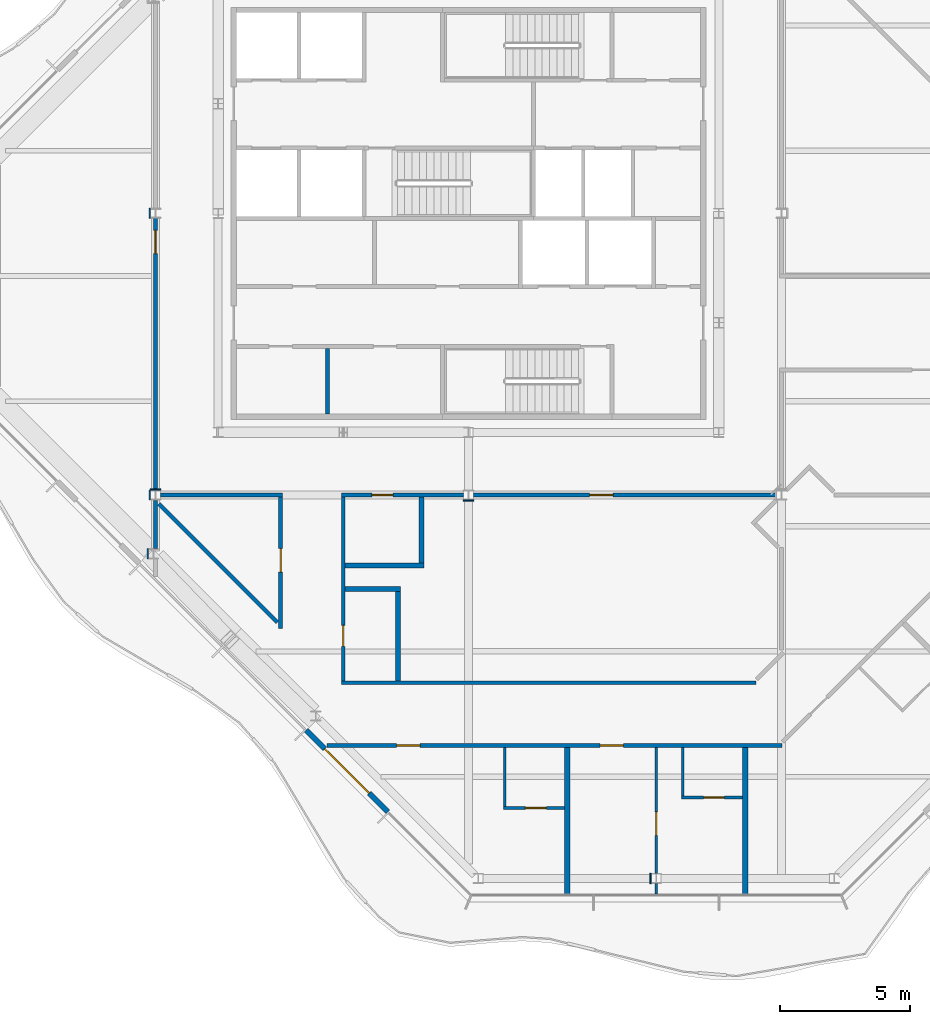
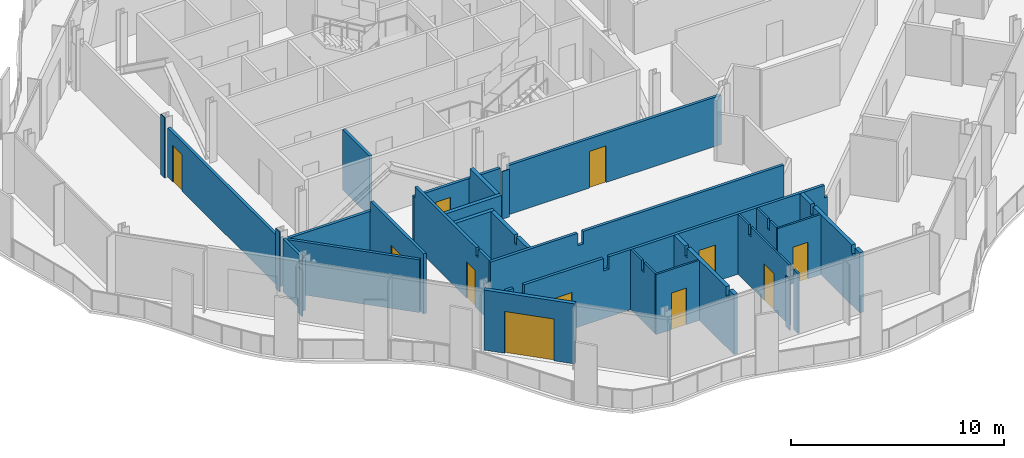
# One storey, part 7 of 17: 30 walls, 11 doors, 11 openings.
"""IFC4 building model written with IfcOpenShell, lengths in metres."""

from ifc_helpers import new_model, si_unit, direction, frame, frame_2d, origin, place, context, subcontext, project, spatial, polyline, rectangle, outline, extrude, material, layer, layer_set, type_object, element, fill, save


model = new_model("IFC4")

# Units and contexts
model_context = context("Model", 3, precision=1e-05, world=origin(), true_north=direction((0.0, 1.0)))
body_context = subcontext(model_context, "Body", "Model", "MODEL_VIEW")
ifc_project = project(units=[si_unit("LENGTHUNIT", "METRE"), si_unit("AREAUNIT", "SQUARE_METRE"), si_unit("VOLUMEUNIT", "CUBIC_METRE"), si_unit("PLANEANGLEUNIT", "RADIAN"), si_unit("MASSUNIT", "GRAM", prefix="KILO")], contexts=[model_context])

# Site, building, storey
site_placement = place(None, origin())
site = spatial("IfcSite", under=ifc_project, at=site_placement, CompositionType="ELEMENT")
building_placement = place(site_placement, origin())
building = spatial("IfcBuilding", under=site, at=building_placement, Name="Cairn Pilgrim Tower", CompositionType="ELEMENT")
storey_placement = place(building_placement, frame((0.0, 0.0, 270.60009765625)))
storey = spatial("IfcBuildingStorey", under=building, at=storey_placement, Name="L69", CompositionType="ELEMENT", Elevation=270.60009765625)

# Wall, opening, door
ifc_material_1 = material(Name="Bronze anodised aluminium insulated sandwich panel with mineral wool fill", Category="aluminium")
ifc_layer_1 = layer(ifc_material_1, 0.199951171875)
ifc_layer_set_1 = layer_set([ifc_layer_1], Name="BRONZE INFILL FRAME WALL 200")
wall_type_1 = type_object("IfcWallType", Name="BRONZE INFILL FRAME WALL 200", PredefinedType="NOTDEFINED", material=ifc_layer_set_1)
wall_1_placement = place(storey_placement, frame((0.9736328125, -17.419921875, 0.0), z_axis=(0.0, 0.0, 1.0), x_axis=(0.707079231393, -0.707134329907, 0.0)))
wall_1 = element("IfcWall", 1, at=wall_1_placement, inside=storey, type_object=wall_type_1, Name="Bronze infill frame wall IW-SW5", PredefinedType="NOTDEFINED", context=body_context, shape_type="SweptSolid", body=[
    extrude(rectangle(XDim=4.430908203125, YDim=0.199951171875, at=frame_2d((2.21533203125, 0.0))), origin(), (0.0, 0.0, 1.0), 3.449951171875),
])
opening_1_placement = place(wall_1_placement, frame((1.01513671875, 0.0, 0.0)))
opening_1 = element("IfcOpeningElement", 2, at=opening_1_placement, cuts=wall_1, Name="Opening 6910B", PredefinedType="OPENING", context=body_context, shape_type="SweptSolid", body=[
    extrude(rectangle(XDim=2.39990234375, YDim=2.39990234375, at=frame_2d((1.199951171875, 1.199951171875))), frame((0.0, 0.10986328125, 0.0), z_axis=(0.0, -1.0, 0.0), x_axis=(1.0, 0.0, 0.0)), (0.0, 0.0, 1.0), 0.219970703125),
])
ifc_material_2 = material(Name="Bronze anodised aluminium frame with tinted low-E glass", Category="aluminium")
door_type_1 = type_object("IfcDoorType", Name="BALCONY SLIDING DOOR 2400x2400", OperationType="DOUBLE_DOOR_SLIDING", PredefinedType="DOOR", material=ifc_material_2)
door_1_placement = place(opening_1_placement, origin())
door_1 = element("IfcDoor", 3, at=door_1_placement, inside=storey, type_object=door_type_1, Name="Balcony sliding door 6910B", OperationType="SINGLE_SWING_LEFT", OverallHeight=2.39990234375, OverallWidth=2.39990234375, PredefinedType="DOOR", context=body_context, shape_type="SweptSolid", body=[
    extrude(rectangle(XDim=2.39990234375, YDim=2.39990234375, at=frame_2d((1.199951171875, 1.199951171875))), frame((0.0, 0.02490234375, 0.0), z_axis=(0.0, -1.0, 0.0), x_axis=(1.0, 0.0, 0.0)), (0.0, 0.0, 1.0), 0.050048828125),
])
fill(opening_1, door_1)

# Walls
ifc_material_3 = material(Name="Concrete C32/40", Category="concrete")
ifc_layer_2 = layer(ifc_material_3, 0.14990234375)
ifc_layer_set_2 = layer_set([ifc_layer_2], Name="CORE PARTITION 150 EI 60")
wall_type_2 = type_object("IfcWallType", Name="CORE PARTITION 150 EI 60", PredefinedType="PARTITIONING", material=ifc_layer_set_2)
wall_2_placement = place(storey_placement, frame((1.800048828125, -5.300048828125, 0.0), z_axis=(0.0, 0.0, 1.0), x_axis=(0.0, 1.0, 0.0)))
element("IfcWall", 4, at=wall_2_placement, inside=storey, type_object=wall_type_2, Name="CW:L69:V16", PredefinedType="PARTITIONING", context=body_context, shape_type="SweptSolid", body=[
    extrude(rectangle(XDim=2.525146484375, YDim=0.14990234375, at=frame_2d((1.2626953125, 0.0))), origin(), (0.0, 0.0, 1.0), 3.449951171875),
])
ifc_material_4 = material(Name="Gypsum partition")
ifc_layer_3 = layer(ifc_material_4, 0.10009765625)
ifc_layer_set_3 = layer_set([ifc_layer_3], Name="PARTITION 100 DRYWALL")
wall_type_3 = type_object("IfcWallType", Name="PARTITION 100 DRYWALL", PredefinedType="PARTITIONING", material=ifc_layer_set_3)
wall_3_placement = place(storey_placement, frame((14.39990234375, -23.702880859375, 0.0), z_axis=(0.0, 0.0, 1.0), x_axis=(0.0, 1.0, 0.0)))
element("IfcWall", 5, at=wall_3_placement, inside=storey, type_object=wall_type_3, Name="PARTITION W002", PredefinedType="PARTITIONING", context=body_context, shape_type="SweptSolid", body=[
    extrude(rectangle(XDim=0.406494140625, YDim=0.10009765625, at=frame_2d((0.203125, 0.0))), origin(), (0.0, 0.0, 1.0), 3.449951171875),
])

# Wall, opening, door
wall_4_placement = place(storey_placement, frame((14.39990234375, -22.903564453125, 0.0), z_axis=(0.0, 0.0, 1.0), x_axis=(0.0, 1.0, 0.0)))
wall_4 = element("IfcWall", 6, at=wall_4_placement, inside=storey, type_object=wall_type_3, Name="PARTITION W004", PredefinedType="PARTITIONING", context=body_context, shape_type="SweptSolid", body=[
    extrude(outline(polyline([(0.0, 0.0), (4.82861328125, 0.0), (4.82861328125, 3.449951171875), (3.80859375, 3.449951171875), (3.806396484375, 2.8798828125), (3.598388671875, 2.8798828125), (3.596435546875, 3.449951171875), (0.0, 3.449951171875), (0.0, 0.0)])), frame((0.0, 0.050048828125, 0.0), z_axis=(0.0, -1.0, 0.0), x_axis=(1.0, 0.0, 0.0)), (0.0, 0.0, 1.0), 0.10009765625),
])
opening_2_placement = place(wall_4_placement, frame((1.45361328125, 0.0, 0.0)))
opening_2 = element("IfcOpeningElement", 7, at=opening_2_placement, cuts=wall_4, Name="Opening 6911C", PredefinedType="OPENING", context=body_context, shape_type="SweptSolid", body=[
    extrude(rectangle(XDim=0.89990234375, YDim=2.10009765625, at=frame_2d((0.449951171875, 1.050048828125))), frame((0.0, 0.06005859375, 0.0), z_axis=(0.0, -1.0, 0.0), x_axis=(1.0, 0.0, 0.0)), (0.0, 0.0, 1.0), 0.1201171875),
])
ifc_material_5 = material(Name="Timber door leaf", Category="wood")
door_type_2 = type_object("IfcDoorType", Name="SERVICE DOOR 900x2100", OperationType="NOTDEFINED", PredefinedType="DOOR", material=ifc_material_5)
door_2_placement = place(opening_2_placement, origin())
door_2 = element("IfcDoor", 8, at=door_2_placement, inside=storey, type_object=door_type_2, Name="DOOR 6911C", OperationType="SINGLE_SWING_LEFT", OverallHeight=2.10009765625, OverallWidth=0.89990234375, PredefinedType="DOOR", context=body_context, shape_type="SweptSolid", body=[
    extrude(rectangle(XDim=0.89990234375, YDim=2.10009765625, at=frame_2d((0.449951171875, 1.050048828125))), frame((0.0, 0.02490234375, 0.0), z_axis=(0.0, -1.0, 0.0), x_axis=(1.0, 0.0, 0.0)), (0.0, 0.0, 1.0), 0.050048828125),
])
fill(opening_2, door_2)

wall_5_placement = place(storey_placement, frame((8.535888671875, -20.39990234375, 0.0), z_axis=(0.0, 0.0, 1.0), x_axis=(1.0, 0.0, 0.0)))
wall_5 = element("IfcWall", 9, at=wall_5_placement, inside=storey, type_object=wall_type_3, Name="PARTITION W005", PredefinedType="PARTITIONING", context=body_context, shape_type="SweptSolid", body=[
    extrude(rectangle(XDim=2.35009765625, YDim=0.10009765625, at=frame_2d((1.175048828125, 0.0))), origin(), (0.0, 0.0, 1.0), 3.449951171875),
])
opening_3_placement = place(wall_5_placement, frame((0.85009765625, 0.0, 0.0)))
opening_3 = element("IfcOpeningElement", 10, at=opening_3_placement, cuts=wall_5, Name="Opening 6910A", PredefinedType="OPENING", context=body_context, shape_type="SweptSolid", body=[
    extrude(rectangle(XDim=0.800048828125, YDim=2.10009765625, at=frame_2d((0.39990234375, 1.050048828125))), frame((0.0, 0.06005859375, 0.0), z_axis=(0.0, -1.0, 0.0), x_axis=(1.0, 0.0, 0.0)), (0.0, 0.0, 1.0), 0.1201171875),
])
door_type_3 = type_object("IfcDoorType", Name="WC DOOR 800x2100", OperationType="NOTDEFINED", PredefinedType="DOOR", material=ifc_material_5)
door_3_placement = place(opening_3_placement, frame((0.800048828125, 0.0, 0.0), z_axis=(0.0, 0.0, 1.0), x_axis=(-1.0, 0.0, 0.0)))
door_3 = element("IfcDoor", 11, at=door_3_placement, inside=storey, type_object=door_type_3, Name="DOOR 6910A", OperationType="SINGLE_SWING_LEFT", OverallHeight=2.10009765625, OverallWidth=0.800048828125, PredefinedType="DOOR", context=body_context, shape_type="SweptSolid", body=[
    extrude(rectangle(XDim=0.800048828125, YDim=2.10009765625, at=frame_2d((0.39990234375, 1.050048828125))), frame((0.0, 0.02490234375, 0.0), z_axis=(0.0, -1.0, 0.0), x_axis=(1.0, 0.0, 0.0)), (0.0, 0.0, 1.0), 0.050048828125),
])
fill(opening_3, door_3)

# Wall
wall_6_placement = place(storey_placement, frame((8.5859375, -20.35009765625, 0.0), z_axis=(0.0, 0.0, 1.0), x_axis=(0.0, 1.0, 0.0)))
element("IfcWall", 12, at=wall_6_placement, inside=storey, type_object=wall_type_3, Name="PARTITION W006", PredefinedType="PARTITIONING", context=body_context, shape_type="SweptSolid", body=[
    extrude(outline(polyline([(0.0, 0.0), (2.275146484375, 0.0), (2.27490234375, 3.449951171875), (1.2548828125, 3.449951171875), (1.2529296875, 2.8798828125), (1.044921875, 2.8798828125), (1.04296875, 3.449951171875), (0.0, 3.449951171875), (0.0, 0.0)])), frame((0.0, 0.050048828125, 0.0), z_axis=(0.0, -1.0, 0.0), x_axis=(1.0, 0.0, 0.0)), (0.0, 0.0, 1.0), 0.10009765625),
])

# Wall, opening, door
wall_7_placement = place(storey_placement, frame((15.364013671875, -20.0, 0.0), z_axis=(0.0, 0.0, 1.0), x_axis=(1.0, 0.0, 0.0)))
wall_7 = element("IfcWall", 13, at=wall_7_placement, inside=storey, type_object=wall_type_3, Name="PARTITION W007", PredefinedType="PARTITIONING", context=body_context, shape_type="SweptSolid", body=[
    extrude(rectangle(XDim=2.35009765625, YDim=0.10009765625, at=frame_2d((1.175048828125, 0.0))), origin(), (0.0, 0.0, 1.0), 3.449951171875),
])
opening_4_placement = place(wall_7_placement, frame((0.85009765625, 0.0, 0.0)))
opening_4 = element("IfcOpeningElement", 14, at=opening_4_placement, cuts=wall_7, Name="Opening 6911A", PredefinedType="OPENING", context=body_context, shape_type="SweptSolid", body=[
    extrude(rectangle(XDim=0.800048828125, YDim=2.10009765625, at=frame_2d((0.39990234375, 1.050048828125))), frame((0.0, 0.06005859375, 0.0), z_axis=(0.0, -1.0, 0.0), x_axis=(1.0, 0.0, 0.0)), (0.0, 0.0, 1.0), 0.1201171875),
])
door_4_placement = place(opening_4_placement, frame((0.800048828125, 0.0, 0.0), z_axis=(0.0, 0.0, 1.0), x_axis=(-1.0, 0.0, 0.0)))
door_4 = element("IfcDoor", 15, at=door_4_placement, inside=storey, type_object=door_type_3, Name="DOOR 6911A", OperationType="SINGLE_SWING_LEFT", OverallHeight=2.10009765625, OverallWidth=0.800048828125, PredefinedType="DOOR", context=body_context, shape_type="SweptSolid", body=[
    extrude(rectangle(XDim=0.800048828125, YDim=2.10009765625, at=frame_2d((0.39990234375, 1.050048828125))), frame((0.0, 0.02490234375, 0.0), z_axis=(0.0, -1.0, 0.0), x_axis=(1.0, 0.0, 0.0)), (0.0, 0.0, 1.0), 0.050048828125),
])
fill(opening_4, door_4)

# Wall
wall_8_placement = place(storey_placement, frame((15.4140625, -19.949951171875, 0.0), z_axis=(0.0, 0.0, 1.0), x_axis=(0.0, 1.0, 0.0)))
element("IfcWall", 16, at=wall_8_placement, inside=storey, type_object=wall_type_3, Name="PARTITION W008", PredefinedType="PARTITIONING", context=body_context, shape_type="SweptSolid", body=[
    extrude(outline(polyline([(0.0, 0.0), (1.875, 0.0), (1.875, 3.449951171875), (0.85498046875, 3.449951171875), (0.85302734375, 2.8798828125), (0.64501953125, 2.8798828125), (0.64306640625, 3.449951171875), (0.0, 3.449951171875), (0.0, 0.0)])), frame((0.0, 0.050048828125, 0.0), z_axis=(0.0, -1.0, 0.0), x_axis=(1.0, 0.0, 0.0)), (0.0, 0.0, 1.0), 0.10009765625),
])

# Wall, openings, doors
ifc_layer_4 = layer(ifc_material_4, 0.14990234375)
ifc_layer_set_4 = layer_set([ifc_layer_4], Name="PARTITION 150 DRYWALL EI 60")
wall_type_4 = type_object("IfcWallType", Name="PARTITION 150 DRYWALL EI 60", PredefinedType="PARTITIONING", material=ifc_layer_set_4)
wall_9_placement = place(storey_placement, frame((1.77294921875, -18.0, 0.0), z_axis=(0.0, 0.0, 1.0), x_axis=(1.0, 0.0, 0.0)))
wall_9 = element("IfcWall", 17, at=wall_9_placement, inside=storey, type_object=wall_type_4, Name="PARTITION W009", PredefinedType="PARTITIONING", context=body_context, shape_type="SweptSolid", body=[
    extrude(outline(polyline([(0.0, 0.0), (17.4482421875, 0.0), (17.4482421875, 2.72998046875), (17.277099609375, 2.72998046875), (17.275146484375, 3.449951171875), (5.5771484375, 3.449951171875), (5.5751953125, 2.72998046875), (5.277099609375, 2.72998046875), (5.275146484375, 3.449951171875), (0.987060546875, 3.449951171875), (0.985107421875, 2.929931640625), (0.412841796875, 2.929931640625), (0.410888671875, 3.449951171875), (0.0, 3.449951171875), (0.0, 0.0)])), frame((0.0, 0.074951171875, 0.0), z_axis=(0.0, -1.0, 0.0), x_axis=(1.0, 0.0, 0.0)), (0.0, 0.0, 1.0), 0.14990234375),
])
opening_5_placement = place(wall_9_placement, frame((2.670166015625, 0.0, 0.0)))
opening_5 = element("IfcOpeningElement", 18, at=opening_5_placement, cuts=wall_9, Name="Opening 6910", PredefinedType="OPENING", context=body_context, shape_type="SweptSolid", body=[
    extrude(rectangle(XDim=0.89990234375, YDim=2.10009765625, at=frame_2d((0.449951171875, 1.050048828125))), frame((0.0, 0.0849609375, 0.0), z_axis=(0.0, -1.0, 0.0), x_axis=(1.0, 0.0, 0.0)), (0.0, 0.0, 1.0), 0.169921875),
])
opening_6_placement = place(wall_9_placement, frame((10.47021484375, 0.0, 0.0)))
opening_6 = element("IfcOpeningElement", 19, at=opening_6_placement, cuts=wall_9, Name="Opening 6911", PredefinedType="OPENING", context=body_context, shape_type="SweptSolid", body=[
    extrude(rectangle(XDim=0.89990234375, YDim=2.10009765625, at=frame_2d((0.449951171875, 1.050048828125))), frame((0.0, 0.0849609375, 0.0), z_axis=(0.0, -1.0, 0.0), x_axis=(1.0, 0.0, 0.0)), (0.0, 0.0, 1.0), 0.169921875),
])
door_type_4 = type_object("IfcDoorType", Name="ROOM DOOR 900x2100 FD30S", OperationType="NOTDEFINED", PredefinedType="DOOR", material=ifc_material_5)
door_5_placement = place(opening_5_placement, frame((0.89990234375, 0.0, 0.0), z_axis=(0.0, 0.0, 1.0), x_axis=(-1.0, 0.0, 0.0)))
door_5 = element("IfcDoor", 20, at=door_5_placement, inside=storey, type_object=door_type_4, Name="DOOR 6910", OperationType="SINGLE_SWING_LEFT", OverallHeight=2.10009765625, OverallWidth=0.89990234375, PredefinedType="DOOR", context=body_context, shape_type="SweptSolid", body=[
    extrude(rectangle(XDim=0.89990234375, YDim=2.10009765625, at=frame_2d((0.449951171875, 1.050048828125))), frame((0.0, 0.02490234375, 0.0), z_axis=(0.0, -1.0, 0.0), x_axis=(1.0, 0.0, 0.0)), (0.0, 0.0, 1.0), 0.050048828125),
])
fill(opening_5, door_5)
door_6_placement = place(opening_6_placement, frame((0.89990234375, 0.0, 0.0), z_axis=(0.0, 0.0, 1.0), x_axis=(-1.0, 0.0, 0.0)))
door_6 = element("IfcDoor", 21, at=door_6_placement, inside=storey, type_object=door_type_4, Name="DOOR 6911", OperationType="SINGLE_SWING_LEFT", OverallHeight=2.10009765625, OverallWidth=0.89990234375, PredefinedType="DOOR", context=body_context, shape_type="SweptSolid", body=[
    extrude(rectangle(XDim=0.89990234375, YDim=2.10009765625, at=frame_2d((0.449951171875, 1.050048828125))), frame((0.0, 0.02490234375, 0.0), z_axis=(0.0, -1.0, 0.0), x_axis=(1.0, 0.0, 0.0)), (0.0, 0.0, 1.0), 0.050048828125),
])
fill(opening_6, door_6)

# Wall
wall_10_placement = place(storey_placement, frame((2.324951171875, -15.60009765625, 0.0), z_axis=(0.0, 0.0, 1.0), x_axis=(1.0, 0.0, 0.0)))
element("IfcWall", 22, at=wall_10_placement, inside=storey, type_object=wall_type_4, Name="PARTITION W015", PredefinedType="PARTITIONING", context=body_context, shape_type="SweptSolid", body=[
    extrude(outline(polyline([(0.0, 0.0), (15.902099609375, 0.0), (15.902099609375, 3.449951171875), (5.02490234375, 3.449951171875), (5.02294921875, 2.72998046875), (4.72509765625, 2.72998046875), (4.722900390625, 3.449951171875), (0.0, 3.449951171875), (0.0, 0.0)])), frame((0.0, 0.074951171875, 0.0), z_axis=(0.0, -1.0, 0.0), x_axis=(1.0, 0.0, 0.0)), (0.0, 0.0, 1.0), 0.14990234375),
])

# Wall, opening, door
wall_11_placement = place(storey_placement, frame((2.39990234375, -15.52490234375, 0.0), z_axis=(0.0, 0.0, 1.0), x_axis=(0.0, 1.0, 0.0)))
wall_11 = element("IfcWall", 23, at=wall_11_placement, inside=storey, type_object=wall_type_4, Name="PARTITION W016", PredefinedType="PARTITIONING", context=body_context, shape_type="SweptSolid", body=[
    extrude(outline(polyline([(0.0, 0.0), (7.0498046875, 0.0), (7.050048828125, 2.829833984375), (6.97509765625, 2.829833984375), (6.972900390625, 3.449951171875), (1.219970703125, 3.449951171875), (1.218017578125, 2.97998046875), (1.030029296875, 2.97998046875), (1.028076171875, 3.449951171875), (0.0, 3.449951171875), (0.0, 0.0)])), frame((0.0, 0.074951171875, 0.0), z_axis=(0.0, -1.0, 0.0), x_axis=(1.0, 0.0, 0.0)), (0.0, 0.0, 1.0), 0.14990234375),
])
opening_7_placement = place(wall_11_placement, frame((1.324951171875, 0.0, 0.0)))
opening_7 = element("IfcOpeningElement", 24, at=opening_7_placement, cuts=wall_11, Name="Opening 6913", PredefinedType="OPENING", context=body_context, shape_type="SweptSolid", body=[
    extrude(rectangle(XDim=0.800048828125, YDim=2.10009765625, at=frame_2d((0.39990234375, 1.050048828125))), frame((0.0, 0.0849609375, 0.0), z_axis=(0.0, -1.0, 0.0), x_axis=(1.0, 0.0, 0.0)), (0.0, 0.0, 1.0), 0.169921875),
])
door_type_5 = type_object("IfcDoorType", Name="WC DOOR 800x2100 FD30S", OperationType="NOTDEFINED", PredefinedType="DOOR", material=ifc_material_5)
door_7_placement = place(opening_7_placement, frame((0.800048828125, 0.0, 0.0), z_axis=(0.0, 0.0, 1.0), x_axis=(-1.0, 0.0, 0.0)))
door_7 = element("IfcDoor", 25, at=door_7_placement, inside=storey, type_object=door_type_5, Name="DOOR 6913", OperationType="SINGLE_SWING_LEFT", OverallHeight=2.10009765625, OverallWidth=0.800048828125, PredefinedType="DOOR", context=body_context, shape_type="SweptSolid", body=[
    extrude(rectangle(XDim=0.800048828125, YDim=2.10009765625, at=frame_2d((0.39990234375, 1.050048828125))), frame((0.0, 0.02490234375, 0.0), z_axis=(0.0, -1.0, 0.0), x_axis=(1.0, 0.0, 0.0)), (0.0, 0.0, 1.0), 0.050048828125),
])
fill(opening_7, door_7)

wall_12_placement = place(storey_placement, frame((0.0, -13.51220703125, 0.0), z_axis=(0.0, 0.0, 1.0), x_axis=(0.0, 1.0, 0.0)))
wall_12 = element("IfcWall", 26, at=wall_12_placement, inside=storey, type_object=wall_type_4, Name="PARTITION W021", PredefinedType="PARTITIONING", context=body_context, shape_type="SweptSolid", body=[
    extrude(outline(polyline([(0.0, 0.0), (5.037109375, 0.0), (5.037109375, 2.829833984375), (4.962158203125, 2.829833984375), (4.960205078125, 3.449951171875), (0.0, 3.449951171875), (0.0, 0.0)])), frame((0.0, 0.074951171875, 0.0), z_axis=(0.0, -1.0, 0.0), x_axis=(1.0, 0.0, 0.0)), (0.0, 0.0, 1.0), 0.14990234375),
])
opening_8_placement = place(wall_12_placement, frame((2.1591796875, 0.0, 0.0)))
opening_8 = element("IfcOpeningElement", 27, at=opening_8_placement, cuts=wall_12, Name="Opening 6916", PredefinedType="OPENING", context=body_context, shape_type="SweptSolid", body=[
    extrude(rectangle(XDim=0.89990234375, YDim=2.10009765625, at=frame_2d((0.449951171875, 1.050048828125))), frame((0.0, 0.0849609375, 0.0), z_axis=(0.0, -1.0, 0.0), x_axis=(1.0, 0.0, 0.0)), (0.0, 0.0, 1.0), 0.169921875),
])
door_type_6 = type_object("IfcDoorType", Name="SERVICE DOOR 900x2100 FD30S", OperationType="NOTDEFINED", PredefinedType="DOOR", material=ifc_material_5)
door_8_placement = place(opening_8_placement, origin())
door_8 = element("IfcDoor", 28, at=door_8_placement, inside=storey, type_object=door_type_6, Name="DOOR 6916", OperationType="SINGLE_SWING_LEFT", OverallHeight=2.10009765625, OverallWidth=0.89990234375, PredefinedType="DOOR", context=body_context, shape_type="SweptSolid", body=[
    extrude(rectangle(XDim=0.89990234375, YDim=2.10009765625, at=frame_2d((0.449951171875, 1.050048828125))), frame((0.0, 0.02490234375, 0.0), z_axis=(0.0, -1.0, 0.0), x_axis=(1.0, 0.0, 0.0)), (0.0, 0.0, 1.0), 0.050048828125),
])
fill(opening_8, door_8)

# Walls
wall_13_placement = place(storey_placement, frame((-0.1279296875, -13.278076171875, 0.0), z_axis=(0.0, 0.0, 1.0), x_axis=(-0.707106781187, 0.707106781187, 0.0)))
element("IfcWall", 29, at=wall_13_placement, inside=storey, type_object=wall_type_4, Name="PARTITION W022", PredefinedType="PARTITIONING", context=body_context, shape_type="SweptSolid", body=[
    extrude(rectangle(XDim=6.426513671875, YDim=0.14990234375, at=frame_2d((3.21337890625, 0.0))), origin(), (0.0, 0.0, 1.0), 3.02978515625),
])
wall_14_placement = place(storey_placement, frame((-4.800048828125, -10.455078125, 0.0), z_axis=(0.0, 0.0, 1.0), x_axis=(0.0, 1.0, 0.0)))
element("IfcWall", 30, at=wall_14_placement, inside=storey, type_object=wall_type_4, Name="PARTITION W029", PredefinedType="PARTITIONING", context=body_context, shape_type="SweptSolid", body=[
    extrude(outline(polyline([(0.0, 0.0), (1.84912109375, 0.0), (1.84912109375, 3.02978515625), (0.2978515625, 3.02978515625), (0.2958984375, 2.6298828125), (0.05810546875, 2.6298828125), (0.05615234375, 3.02978515625), (0.0, 3.02978515625), (0.0, 0.0)])), frame((0.0, 0.074951171875, 0.0), z_axis=(0.0, -1.0, 0.0), x_axis=(1.0, 0.0, 0.0)), (0.0, 0.0, 1.0), 0.14990234375),
])
wall_15_placement = place(storey_placement, frame((-4.60302734375, -8.39990234375, 0.0), z_axis=(0.0, 0.0, 1.0), x_axis=(1.0, 0.0, 0.0)))
element("IfcWall", 31, at=wall_15_placement, inside=storey, type_object=wall_type_4, Name="PARTITION W033", PredefinedType="PARTITIONING", context=body_context, shape_type="SweptSolid", body=[
    extrude(rectangle(XDim=4.677978515625, YDim=0.14990234375, at=frame_2d((2.3388671875, 0.0))), origin(), (0.0, 0.0, 1.0), 2.829833984375),
])

# Wall, opening, door
wall_16_placement = place(storey_placement, frame((2.324951171875, -8.39990234375, 0.0), z_axis=(0.0, 0.0, 1.0), x_axis=(1.0, 0.0, 0.0)))
wall_16 = element("IfcWall", 32, at=wall_16_placement, inside=storey, type_object=wall_type_4, Name="PARTITION W034", PredefinedType="PARTITIONING", context=body_context, shape_type="SweptSolid", body=[
    extrude(rectangle(XDim=4.677978515625, YDim=0.14990234375, at=frame_2d((2.3388671875, 0.0))), origin(), (0.0, 0.0, 1.0), 2.829833984375),
])
opening_9_placement = place(wall_16_placement, frame((1.175048828125, 0.0, 0.0)))
opening_9 = element("IfcOpeningElement", 33, at=opening_9_placement, cuts=wall_16, Name="Opening 6912", PredefinedType="OPENING", context=body_context, shape_type="SweptSolid", body=[
    extrude(rectangle(XDim=0.800048828125, YDim=2.10009765625, at=frame_2d((0.39990234375, 1.050048828125))), frame((0.0, 0.0849609375, 0.0), z_axis=(0.0, -1.0, 0.0), x_axis=(1.0, 0.0, 0.0)), (0.0, 0.0, 1.0), 0.169921875),
])
door_9_placement = place(opening_9_placement, frame((0.800048828125, 0.0, 0.0), z_axis=(0.0, 0.0, 1.0), x_axis=(-1.0, 0.0, 0.0)))
door_9 = element("IfcDoor", 34, at=door_9_placement, inside=storey, type_object=door_type_5, Name="DOOR 6912", OperationType="SINGLE_SWING_LEFT", OverallHeight=2.10009765625, OverallWidth=0.800048828125, PredefinedType="DOOR", context=body_context, shape_type="SweptSolid", body=[
    extrude(rectangle(XDim=0.800048828125, YDim=2.10009765625, at=frame_2d((0.39990234375, 1.050048828125))), frame((0.0, 0.02490234375, 0.0), z_axis=(0.0, -1.0, 0.0), x_axis=(1.0, 0.0, 0.0)), (0.0, 0.0, 1.0), 0.050048828125),
])
fill(opening_9, door_9)

wall_17_placement = place(storey_placement, frame((7.39697265625, -8.39990234375, 0.0), z_axis=(0.0, 0.0, 1.0), x_axis=(1.0, 0.0, 0.0)))
wall_17 = element("IfcWall", 35, at=wall_17_placement, inside=storey, type_object=wall_type_4, Name="PARTITION W035", PredefinedType="PARTITIONING", context=body_context, shape_type="SweptSolid", body=[
    extrude(rectangle(XDim=11.60595703125, YDim=0.14990234375, at=frame_2d((5.802978515625, 0.0))), origin(), (0.0, 0.0, 1.0), 2.829833984375),
])
opening_10_placement = place(wall_17_placement, frame((4.452880859375, 0.0, 0.0)))
opening_10 = element("IfcOpeningElement", 36, at=opening_10_placement, cuts=wall_17, Name="Opening 6917", PredefinedType="OPENING", context=body_context, shape_type="SweptSolid", body=[
    extrude(rectangle(XDim=0.89990234375, YDim=2.10009765625, at=frame_2d((0.449951171875, 1.050048828125))), frame((0.0, 0.0849609375, 0.0), z_axis=(0.0, -1.0, 0.0), x_axis=(1.0, 0.0, 0.0)), (0.0, 0.0, 1.0), 0.169921875),
])
door_10_placement = place(opening_10_placement, frame((0.89990234375, 0.0, 0.0), z_axis=(0.0, 0.0, 1.0), x_axis=(-1.0, 0.0, 0.0)))
door_10 = element("IfcDoor", 37, at=door_10_placement, inside=storey, type_object=door_type_6, Name="DOOR 6917", OperationType="SINGLE_SWING_LEFT", OverallHeight=2.10009765625, OverallWidth=0.89990234375, PredefinedType="DOOR", context=body_context, shape_type="SweptSolid", body=[
    extrude(rectangle(XDim=0.89990234375, YDim=2.10009765625, at=frame_2d((0.449951171875, 1.050048828125))), frame((0.0, 0.02490234375, 0.0), z_axis=(0.0, -1.0, 0.0), x_axis=(1.0, 0.0, 0.0)), (0.0, 0.0, 1.0), 0.050048828125),
])
fill(opening_10, door_10)

wall_18_placement = place(storey_placement, frame((-4.800048828125, -8.21240234375, 0.0), z_axis=(0.0, 0.0, 1.0), x_axis=(0.0, 1.0, 0.0)))
wall_18 = element("IfcWall", 38, at=wall_18_placement, inside=storey, type_object=wall_type_4, Name="PARTITION W039", PredefinedType="PARTITIONING", context=body_context, shape_type="SweptSolid", body=[
    extrude(rectangle(XDim=10.4248046875, YDim=0.14990234375, at=frame_2d((5.21240234375, 0.0))), origin(), (0.0, 0.0, 1.0), 2.829833984375),
])
opening_11_placement = place(wall_18_placement, frame((9.0625, 0.0, 0.0)))
opening_11 = element("IfcOpeningElement", 39, at=opening_11_placement, cuts=wall_18, Name="Opening 6909", PredefinedType="OPENING", context=body_context, shape_type="SweptSolid", body=[
    extrude(rectangle(XDim=0.89990234375, YDim=2.10009765625, at=frame_2d((0.449951171875, 1.050048828125))), frame((0.0, 0.0849609375, 0.0), z_axis=(0.0, -1.0, 0.0), x_axis=(1.0, 0.0, 0.0)), (0.0, 0.0, 1.0), 0.169921875),
])
door_11_placement = place(opening_11_placement, origin())
door_11 = element("IfcDoor", 40, at=door_11_placement, inside=storey, type_object=door_type_4, Name="DOOR 6909", OperationType="SINGLE_SWING_RIGHT", OverallHeight=2.10009765625, OverallWidth=0.89990234375, PredefinedType="DOOR", context=body_context, shape_type="SweptSolid", body=[
    extrude(rectangle(XDim=0.89990234375, YDim=2.10009765625, at=frame_2d((0.449951171875, 1.050048828125))), frame((0.0, 0.02490234375, 0.0), z_axis=(0.0, -1.0, 0.0), x_axis=(1.0, 0.0, 0.0)), (0.0, 0.0, 1.0), 0.050048828125),
])
fill(opening_11, door_11)

# Walls
ifc_layer_5 = layer(ifc_material_4, 0.050048828125)
ifc_layer_set_5 = layer_set([ifc_layer_5], Name="PARTITION 50 DRYWALL")
wall_type_5 = type_object("IfcWallType", Name="PARTITION 50 DRYWALL", PredefinedType="PARTITIONING", material=ifc_layer_set_5)
wall_19_placement = place(storey_placement, frame((14.175537109375, -23.29638671875, 0.0), z_axis=(0.0, 0.0, 1.0), x_axis=(0.0, 1.0, 0.0)))
element("IfcWall", 41, at=wall_19_placement, inside=storey, type_object=wall_type_5, Name="COLUMN CASING WC01", PredefinedType="PARTITIONING", context=body_context, shape_type="SweptSolid", body=[
    extrude(rectangle(XDim=0.392822265625, YDim=0.050048828125, at=frame_2d((0.1962890625, 0.0))), origin(), (0.0, 0.0, 1.0), 2.929931640625),
])
ifc_layer_6 = layer(ifc_material_4, 0.050048828125)
ifc_layer_set_6 = layer_set([ifc_layer_6], Name="PARTITION 50 DRYWALL EI 60")
wall_type_6 = type_object("IfcWallType", Name="PARTITION 50 DRYWALL EI 60", PredefinedType="PARTITIONING", material=ifc_layer_set_6)
wall_20_placement = place(storey_placement, frame((-5.10009765625, -10.847900390625, 0.0), z_axis=(0.0, 0.0, 1.0), x_axis=(0.0, 1.0, 0.0)))
element("IfcWall", 42, at=wall_20_placement, inside=storey, type_object=wall_type_6, Name="COLUMN CASING WC04", PredefinedType="PARTITIONING", context=body_context, shape_type="SweptSolid", body=[
    extrude(rectangle(XDim=0.392822265625, YDim=0.050048828125, at=frame_2d((0.1962890625, 0.0))), origin(), (0.0, 0.0, 1.0), 2.6298828125),
])
for number, where, z_axis, x_axis, name in (
    (43, (-5.02197265625, -8.58740234375, 0.0), (0.0, 0.0, 1.0), (0.0, 1.0, 0.0), "COLUMN CASING WC06"),
    (44, (-5.02197265625, 2.21240234375, 0.0), (0.0, 0.0, 1.0), (0.0, 1.0, 0.0), "COLUMN CASING WC07"),
):
    element("IfcWall", number, at=place(storey_placement, frame(where, z_axis=z_axis, x_axis=x_axis)), inside=storey, type_object=wall_type_6, Name=name, PredefinedType="PARTITIONING", context=body_context, shape_type="SweptSolid", body=[
        extrude(rectangle(XDim=0.375, YDim=0.050048828125, at=frame_2d((0.1875, 0.0))), origin(), (0.0, 0.0, 1.0), 3.449951171875),
    ])
wall_21_placement = place(storey_placement, frame((-4.9970703125, -8.1875, 0.0), z_axis=(0.0, 0.0, 1.0), x_axis=(1.0, 0.0, 0.0)))
element("IfcWall", 45, at=wall_21_placement, inside=storey, type_object=wall_type_6, Name="COLUMN CASING WC09", PredefinedType="PARTITIONING", context=body_context, shape_type="SweptSolid", body=[
    extrude(rectangle(XDim=0.39404296875, YDim=0.050048828125, at=frame_2d((0.197021484375, 0.0))), origin(), (0.0, 0.0, 1.0), 2.829833984375),
])
wall_22_placement = place(storey_placement, frame((7.0029296875, -8.612548828125, 0.0), z_axis=(0.0, 0.0, 1.0), x_axis=(1.0, 0.0, 0.0)))
element("IfcWall", 46, at=wall_22_placement, inside=storey, type_object=wall_type_6, Name="COLUMN CASING WC10", PredefinedType="PARTITIONING", context=body_context, shape_type="SweptSolid", body=[
    extrude(rectangle(XDim=0.39404296875, YDim=0.050048828125, at=frame_2d((0.197021484375, 0.0))), origin(), (0.0, 0.0, 1.0), 2.72998046875),
])
ifc_layer_7 = layer(ifc_material_4, 0.199951171875)
ifc_layer_set_7 = layer_set([ifc_layer_7], Name="SHAFT WALL 200 GYPSUM EI 60")
wall_type_7 = type_object("IfcWallType", Name="SHAFT WALL 200 GYPSUM EI 60", PredefinedType="PARTITIONING", material=ifc_layer_set_7)
for number, where, z_axis, x_axis, name in (
    (47, (10.986083984375, -23.702880859375, 0.0), (0.0, 0.0, 1.0), (0.0, 1.0, 0.0), "PARTITION W001"),
    (48, (17.81396484375, -23.702880859375, 0.0), (0.0, 0.0, 1.0), (0.0, 1.0, 0.0), "PARTITION W003"),
):
    element("IfcWall", number, at=place(storey_placement, frame(where, z_axis=z_axis, x_axis=x_axis)), inside=storey, type_object=wall_type_7, Name=name, PredefinedType="PARTITIONING", context=body_context, shape_type="SweptSolid", body=[
        extrude(outline(polyline([(0.0, 0.0), (5.6279296875, 0.0), (5.6279296875, 3.449951171875), (4.60791015625, 3.449951171875), (4.60595703125, 2.8798828125), (4.39794921875, 2.8798828125), (4.39599609375, 3.449951171875), (0.7529296875, 3.449951171875), (0.7509765625, 2.929931640625), (0.452880859375, 2.929931640625), (0.450927734375, 3.449951171875), (0.0, 3.449951171875), (0.0, 0.0)])), frame((0.0, 0.10009765625, 0.0), z_axis=(0.0, -1.0, 0.0), x_axis=(1.0, 0.0, 0.0)), (0.0, 0.0, 1.0), 0.199951171875),
    ])
wall_23_placement = place(storey_placement, frame((4.5, -15.52490234375, 0.0), z_axis=(0.0, 0.0, 1.0), x_axis=(0.0, 1.0, 0.0)))
element("IfcWall", 49, at=wall_23_placement, inside=storey, type_object=wall_type_7, Name="PARTITION W017", PredefinedType="PARTITIONING", context=body_context, shape_type="SweptSolid", body=[
    extrude(outline(polyline([(0.0, 0.0), (3.4248046875, 0.0), (3.425048828125, 3.449951171875), (1.219970703125, 3.449951171875), (1.218017578125, 2.97998046875), (1.030029296875, 2.97998046875), (1.028076171875, 3.449951171875), (0.0, 3.449951171875), (0.0, 0.0)])), frame((0.0, 0.10009765625, 0.0), z_axis=(0.0, -1.0, 0.0), x_axis=(1.0, 0.0, 0.0)), (0.0, 0.0, 1.0), 0.199951171875),
])
wall_24_placement = place(storey_placement, frame((2.47509765625, -12.0, 0.0), z_axis=(0.0, 0.0, 1.0), x_axis=(1.0, 0.0, 0.0)))
element("IfcWall", 50, at=wall_24_placement, inside=storey, type_object=wall_type_7, Name="PARTITION W024", PredefinedType="PARTITIONING", context=body_context, shape_type="SweptSolid", body=[
    extrude(rectangle(XDim=2.125, YDim=0.199951171875, at=frame_2d((1.0625, 0.0))), origin(), (0.0, 0.0, 1.0), 3.449951171875),
])
wall_25_placement = place(storey_placement, frame((2.47509765625, -11.10009765625, 0.0), z_axis=(0.0, 0.0, 1.0), x_axis=(1.0, 0.0, 0.0)))
element("IfcWall", 51, at=wall_25_placement, inside=storey, type_object=wall_type_7, Name="PARTITION W027", PredefinedType="PARTITIONING", context=body_context, shape_type="SweptSolid", body=[
    extrude(rectangle(XDim=3.02490234375, YDim=0.199951171875, at=frame_2d((1.512451171875, 0.0))), origin(), (0.0, 0.0, 1.0), 3.449951171875),
])
wall_26_placement = place(storey_placement, frame((5.39990234375, -11.0, 0.0), z_axis=(0.0, 0.0, 1.0), x_axis=(0.0, 1.0, 0.0)))
element("IfcWall", 52, at=wall_26_placement, inside=storey, type_object=wall_type_7, Name="PARTITION W028", PredefinedType="PARTITIONING", context=body_context, shape_type="SweptSolid", body=[
    extrude(outline(polyline([(0.0, 0.0), (2.52490234375, 0.0), (2.52490234375, 2.829833984375), (2.449951171875, 2.829833984375), (2.447998046875, 3.449951171875), (0.0, 3.449951171875), (0.0, 0.0)])), frame((0.0, 0.10009765625, 0.0), z_axis=(0.0, -1.0, 0.0), x_axis=(1.0, 0.0, 0.0)), (0.0, 0.0, 1.0), 0.199951171875),
])

save(model, "model.ifc")
